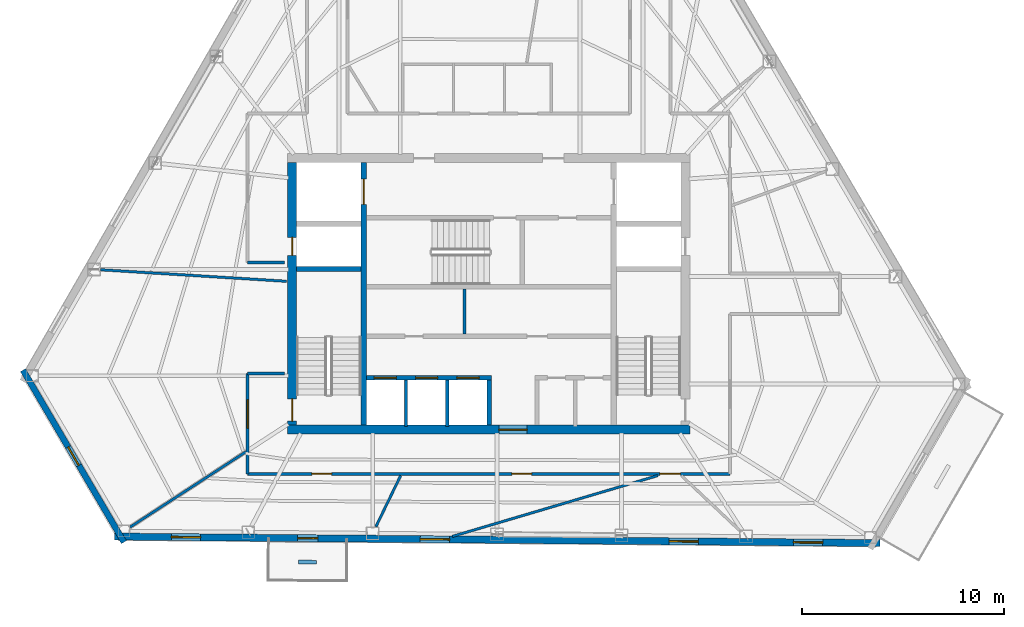
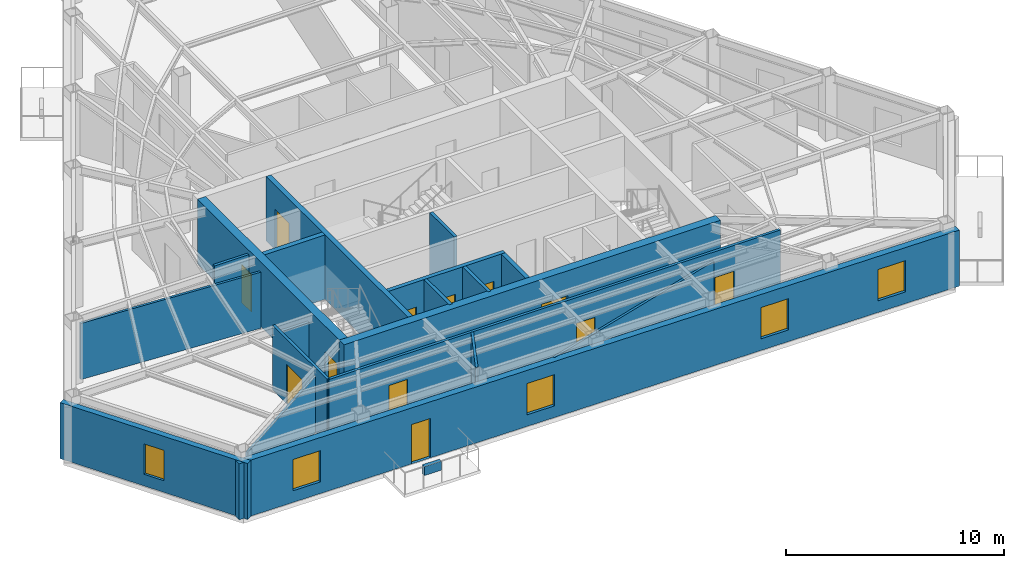
# One storey, part 7 of 12: 20 walls, 12 doors, 5 windows, 17 openings.
"""IFC4 building model written with IfcOpenShell, lengths in metres."""

import ifcopenshell
import ifcopenshell.guid

model = None  # the IFC model being written
_history = None  # IfcOwnerHistory: only IFC2X3 demands one
_inside = {}  # id of a spatial element -> (the spatial element, [elements in it])
_under = {}  # id of a project, library or spatial element -> (it, [spatial elements below it])
_declared = {}  # id of a project -> (the project, [libraries it declares])
_typed = {}  # id of a type object -> (the type object, [elements of that type])
_made_of = {}  # id of a material, layer set ... -> (it, [elements and type objects made of it])


def new_model(schema):
    """Start an empty IFC model of exactly this schema.

    Asked for "IFC4X3", IfcOpenShell would pick the latest addendum, in which some entities
    have other attributes; the version numbers below select the first issue.
    IFC2X3 requires an IfcOwnerHistory on every rooted entity: one is made here for all.
    """
    global model, _history
    if schema == "IFC4X3":
        model = ifcopenshell.file(schema_version=(4, 3, 0, 0))
    else:
        model = ifcopenshell.file(schema=schema)
    _inside.clear()
    _under.clear()
    _declared.clear()
    _typed.clear()
    _made_of.clear()
    _history = None
    if model.schema == "IFC2X3":
        org = make("IfcOrganization", Name="unknown")
        user = make(
            "IfcPersonAndOrganization",
            ThePerson=make("IfcPerson", FamilyName="unknown"),
            TheOrganization=org,
        )
        app = make(
            "IfcApplication",
            ApplicationDeveloper=org,
            Version="unknown",
            ApplicationFullName="unknown",
            ApplicationIdentifier="unknown",
        )
        _history = make(
            "IfcOwnerHistory",
            OwningUser=user,
            OwningApplication=app,
            ChangeAction="ADDED",
            CreationDate=0,
        )
    return model


def make(cls, **values):
    """One entity of the class cls with the attributes given. An attribute that is None is left unset."""
    return model.create_entity(
        cls, **{name: value for name, value in values.items() if value is not None}
    )


def rooted(cls, **values):
    """An entity with a GlobalId (a new one), such as an element, a storey or a relation."""
    return make(cls, GlobalId=ifcopenshell.guid.new(), OwnerHistory=_history, **values)


def si_unit(unit_type, name, prefix=None):
    """IfcSIUnit, for example si_unit("LENGTHUNIT", "METRE", prefix="MILLI")."""
    return make("IfcSIUnit", UnitType=unit_type, Prefix=prefix, Name=name)


def assignment(units):
    """IfcUnitAssignment: the units of a project."""
    return None if units is None else make("IfcUnitAssignment", Units=units)


def point(xyz):
    """IfcCartesianPoint."""
    return None if xyz is None else make("IfcCartesianPoint", Coordinates=xyz)


def direction(xyz):
    """IfcDirection."""
    return None if xyz is None else make("IfcDirection", DirectionRatios=xyz)


def frame(location, z_axis=None, x_axis=None):
    """IfcAxis2Placement3D, a coordinate frame: its origin and axes. An axis left out is left unset."""
    return make(
        "IfcAxis2Placement3D",
        Location=point(location),
        Axis=direction(z_axis),
        RefDirection=direction(x_axis),
    )


def frame_2d(location, x_axis=None):
    """IfcAxis2Placement2D, a coordinate frame in the plane: its origin and x axis."""
    return make(
        "IfcAxis2Placement2D", Location=point(location), RefDirection=direction(x_axis)
    )


def origin():
    """The frame at (0, 0, 0) with its axes left unset."""
    return frame((0.0, 0.0, 0.0))


def place(relative_to, where):
    """IfcLocalPlacement: puts the frame where relative to a parent placement (None: the world)."""
    return make(
        "IfcLocalPlacement", PlacementRelTo=relative_to, RelativePlacement=where
    )


def context(
    kind, dimensions, precision=None, world=None, true_north=None, identifier=None
):
    """IfcGeometricRepresentationContext, for example the 3D "Model" context."""
    return make(
        "IfcGeometricRepresentationContext",
        ContextIdentifier=identifier,
        ContextType=kind,
        CoordinateSpaceDimension=dimensions,
        Precision=precision,
        WorldCoordinateSystem=world,
        TrueNorth=true_north,
    )


def subcontext(parent, identifier, kind, view, scale=None):
    """IfcGeometricRepresentationSubContext, for example "Body" below "Model"."""
    return make(
        "IfcGeometricRepresentationSubContext",
        ContextIdentifier=identifier,
        ContextType=kind,
        ParentContext=parent,
        TargetScale=scale,
        TargetView=view,
    )


def project(units=None, contexts=None):
    """IfcProject with its units and contexts."""
    return rooted(
        "IfcProject",
        Name="project",
        RepresentationContexts=contexts,
        UnitsInContext=assignment(units),
    )


def spatial(cls, under=None, at=None, **own):
    """A site, building, storey or space (cls), placed at a placement, below another one or the project."""
    s = rooted(cls, ObjectPlacement=at, **own)
    if under is not None:
        _under.setdefault(under.id(), (under, []))[1].append(s)
    return s


def profile(cls, at=None, kind="AREA", **sizes):
    """A parametric profile (cls). Its sizes go by their IFC names, for example OverallWidth=200.0."""
    return make(cls, ProfileType=kind, Position=at, **sizes)


def rectangle(**sizes):
    """IfcRectangleProfileDef."""
    return profile("IfcRectangleProfileDef", **sizes)


def extrude(swept, where, along, depth):
    """IfcExtrudedAreaSolid: the profile swept, set in the frame where, extruded along a direction by depth."""
    return make(
        "IfcExtrudedAreaSolid",
        SweptArea=swept,
        Position=where,
        ExtrudedDirection=direction(along),
        Depth=depth,
    )


def shape(context_of_items, identifier, shape_type, items):
    """IfcShapeRepresentation: the items that make up one representation, for example the "Body"."""
    return make(
        "IfcShapeRepresentation",
        ContextOfItems=context_of_items,
        RepresentationIdentifier=identifier,
        RepresentationType=shape_type,
        Items=items,
    )


def material(Name=None, Category=None):
    """IfcMaterial."""
    return make("IfcMaterial", Name=Name, Category=Category)


def layer(
    of_material, thickness, ventilated=None, Name=None, Category=None, Priority=None
):
    """IfcMaterialLayer: one layer of a wall or slab, of a material (None: an air gap)."""
    return make(
        "IfcMaterialLayer",
        Material=of_material,
        LayerThickness=thickness,
        IsVentilated=ventilated,
        Name=Name,
        Category=Category,
        Priority=Priority,
    )


def layer_set(layers, Name=None):
    """IfcMaterialLayerSet."""
    return make("IfcMaterialLayerSet", MaterialLayers=layers, LayerSetName=Name)


def made_of(thing, what):
    """Note that an element or type object is made of a material, layer set ...; save() writes the relation."""
    if what is not None:
        _made_of.setdefault(what.id(), (what, []))[1].append(thing)
    return thing


def type_object(cls, material=None, **own):
    """A type object (cls), such as IfcWallType, which elements share."""
    return made_of(rooted(cls, **own), material)


def element(
    cls,
    number,
    at=None,
    inside=None,
    cuts=None,
    type_object=None,
    material=None,
    context=None,
    identifier="Body",
    shape_type=None,
    held_by="IfcProductDefinitionShape",
    body=None,
    shapes=None,
    **own,
):
    """One element of the class cls, such as IfcWall. Its Tag is "e" and its number.

    at: its placement. inside: the storey or other place that contains it. cuts: it is an
    opening in that element (IfcRelVoidsElement). A single representation is given by context,
    identifier, shape_type and body (its items); several are given by shapes. held_by: the class
    of the entity that holds the representations. save() writes the other relations.
    """
    e = rooted(cls, Tag="e%d" % number, ObjectPlacement=at, **own)
    if body is not None:
        shapes = [shape(context, identifier, shape_type, body)]
    if shapes is not None:
        e.Representation = make(held_by, Representations=shapes)
    if inside is not None:
        _inside.setdefault(inside.id(), (inside, []))[1].append(e)
    if cuts is not None:
        rooted(
            "IfcRelVoidsElement", RelatingBuildingElement=cuts, RelatedOpeningElement=e
        )
    if type_object is not None:
        _typed.setdefault(type_object.id(), (type_object, []))[1].append(e)
    return made_of(e, material)


def fill(opening, filler):
    """IfcRelFillsElement: the door or window that sits in an opening."""
    return rooted(
        "IfcRelFillsElement",
        RelatingOpeningElement=opening,
        RelatedBuildingElement=filler,
    )


def aggregate(whole, parts):
    """IfcRelAggregates: a whole, such as a stair, and the parts it consists of."""
    return rooted("IfcRelAggregates", RelatingObject=whole, RelatedObjects=parts)


def save(model, path):
    """Write the relations noted so far, then the file.

    IfcRelAggregates (storeys below a building ...), IfcRelContainedInSpatialStructure (elements
    in a storey), IfcRelDefinesByType, IfcRelAssociatesMaterial and IfcRelDeclares: one each for
    every whole, place, type object, material and project.
    """
    for whole, parts in _under.values():
        aggregate(whole, parts)
    for where, things in _inside.values():
        rooted(
            "IfcRelContainedInSpatialStructure",
            RelatedElements=things,
            RelatingStructure=where,
        )
    for kind, things in _typed.values():
        rooted("IfcRelDefinesByType", RelatedObjects=things, RelatingType=kind)
    for what, things in _made_of.values():
        rooted("IfcRelAssociatesMaterial", RelatedObjects=things, RelatingMaterial=what)
    for by, libraries in _declared.values():
        rooted("IfcRelDeclares", RelatingContext=by, RelatedDefinitions=libraries)
    model.write(path)


model = new_model("IFC4")

# Units and contexts
model_context = context("Model", 3, precision=1e-05, world=origin(), true_north=direction((0.0, 1.0)))
body_context = subcontext(model_context, "Body", "Model", "MODEL_VIEW")
ifc_project = project(units=[si_unit("LENGTHUNIT", "METRE"), si_unit("AREAUNIT", "SQUARE_METRE"), si_unit("VOLUMEUNIT", "CUBIC_METRE"), si_unit("PLANEANGLEUNIT", "RADIAN"), si_unit("MASSUNIT", "GRAM", prefix="KILO")], contexts=[model_context])

# Site, building, storey
site_placement = place(None, origin())
site = spatial("IfcSite", under=ifc_project, at=site_placement, CompositionType="ELEMENT")
building_placement = place(site_placement, origin())
building = spatial("IfcBuilding", under=site, at=building_placement, Name="Kavelnor Concourse Tower", CompositionType="ELEMENT")
storey_placement = place(building_placement, frame((0.0, 0.0, 191.949951171875)))
storey = spatial("IfcBuildingStorey", under=building, at=storey_placement, Name="L48", CompositionType="ELEMENT", Elevation=191.949951171875)

# Wall, opening, door
ifc_material_1 = material(Name="Concrete C50/60", Category="concrete")
ifc_layer_1 = layer(ifc_material_1, 0.43994140625, Name="Concrete C50/60")
ifc_layer_set_1 = layer_set([ifc_layer_1], Name="Concrete C50/60")
wall_type_1 = type_object("IfcWallType", Name="WL-CORE-Z3-440", PredefinedType="SOLIDWALL", material=ifc_layer_set_1)
wall_1_placement = place(storey_placement, frame((28.0400390625, 9.3798828125, 0.0), z_axis=(0.0, 0.0, 1.0), x_axis=(1.0, 0.0, 0.0)))
wall_1 = element("IfcWall", 1, at=wall_1_placement, inside=storey, type_object=wall_type_1, Name="L48 Central Core South Shear Wall", PredefinedType="SOLIDWALL", context=body_context, shape_type="SweptSolid", body=[
    extrude(rectangle(XDim=19.919921875, YDim=0.43994140625, at=frame_2d((9.9599609375, 0.0))), origin(), (0.0, 0.0, 1.0), 3.60009765625),
])
opening_1_placement = place(wall_1_placement, frame((10.4599609375, 0.0, 0.0)))
opening_1 = element("IfcOpeningElement", 2, at=opening_1_placement, cuts=wall_1, Name="Opening SD-140", PredefinedType="OPENING", context=body_context, shape_type="SweptSolid", body=[
    extrude(rectangle(XDim=1.39990234375, YDim=2.199951171875, at=frame_2d((0.699951171875, 1.10009765625))), frame((0.0, 0.22998046875, 0.0), z_axis=(0.0, -1.0, 0.0), x_axis=(1.0, 0.0, 0.0)), (0.0, 0.0, 1.0), 0.4599609375),
])
ifc_material_2 = material(Name="Solid-core hardwood timber", Category="wood")
door_type_1 = type_object("IfcDoorType", Name="DR-SUITE-ENTRY-1400", OperationType="NOTDEFINED", PredefinedType="DOOR", material=ifc_material_2)
door_1_placement = place(opening_1_placement, origin())
door_1 = element("IfcDoor", 3, at=door_1_placement, inside=storey, type_object=door_type_1, Name="L48 Passenger Lift Lobby Entry Door", OperationType="SINGLE_SWING_LEFT", OverallHeight=2.199951171875, OverallWidth=1.39990234375, PredefinedType="DOOR", context=body_context, shape_type="SweptSolid", body=[
    extrude(rectangle(XDim=1.39990234375, YDim=2.199951171875, at=frame_2d((0.699951171875, 1.10009765625))), frame((0.0, 0.02490234375, 0.0), z_axis=(0.0, -1.0, 0.0), x_axis=(1.0, 0.0, 0.0)), (0.0, 0.0, 1.0), 0.050048828125),
])
fill(opening_1, door_1)

# Wall, openings, doors
wall_2_placement = place(storey_placement, frame((28.260009765625, 9.60009765625, 0.0), z_axis=(0.0, 0.0, 1.0), x_axis=(0.0, 1.0, 0.0)))
wall_2 = element("IfcWall", 4, at=wall_2_placement, inside=storey, type_object=wall_type_1, Name="L48 Central Core West Shear Wall", PredefinedType="SOLIDWALL", context=body_context, shape_type="SweptSolid", body=[
    extrude(rectangle(XDim=13.0, YDim=0.43994140625, at=frame_2d((6.5, 0.0))), origin(), (0.0, 0.0, 1.0), 3.60009765625),
])
opening_2_placement = place(wall_2_placement, frame((0.199951171875, 0.0, 0.0)))
opening_2 = element("IfcOpeningElement", 5, at=opening_2_placement, cuts=wall_2, Name="Opening FD-110", PredefinedType="OPENING", context=body_context, shape_type="SweptSolid", body=[
    extrude(rectangle(XDim=1.10009765625, YDim=2.14990234375, at=frame_2d((0.550048828125, 1.074951171875))), frame((0.0, 0.22998046875, 0.0), z_axis=(0.0, -1.0, 0.0), x_axis=(1.0, 0.0, 0.0)), (0.0, 0.0, 1.0), 0.4599609375),
])
opening_3_placement = place(wall_2_placement, frame((8.39990234375, 0.0, 0.0)))
opening_3 = element("IfcOpeningElement", 6, at=opening_3_placement, cuts=wall_2, Name="Opening FD-090", PredefinedType="OPENING", context=body_context, shape_type="SweptSolid", body=[
    extrude(rectangle(XDim=0.89990234375, YDim=2.10009765625, at=frame_2d((0.449951171875, 1.050048828125))), frame((0.0, 0.22998046875, 0.0), z_axis=(0.0, -1.0, 0.0), x_axis=(1.0, 0.0, 0.0)), (0.0, 0.0, 1.0), 0.4599609375),
])
ifc_material_3 = material(Name="Steel Grade 350", Category="steel")
door_type_2 = type_object("IfcDoorType", Name="DR-RISER-FIRE-900", OperationType="NOTDEFINED", PredefinedType="DOOR", material=ifc_material_3)
door_2_placement = place(opening_3_placement, origin())
door_2 = element("IfcDoor", 7, at=door_2_placement, inside=storey, type_object=door_type_2, Name="L48 West Riser Access Door", OperationType="SINGLE_SWING_RIGHT", OverallHeight=2.10009765625, OverallWidth=0.89990234375, PredefinedType="DOOR", context=body_context, shape_type="SweptSolid", body=[
    extrude(rectangle(XDim=0.89990234375, YDim=2.10009765625, at=frame_2d((0.449951171875, 1.050048828125))), frame((0.0, 0.02490234375, 0.0), z_axis=(0.0, -1.0, 0.0), x_axis=(1.0, 0.0, 0.0)), (0.0, 0.0, 1.0), 0.050048828125),
])
fill(opening_3, door_2)
door_type_3 = type_object("IfcDoorType", Name="DR-STAIR-FIRE-1100", OperationType="NOTDEFINED", PredefinedType="DOOR", material=ifc_material_3)
door_3_placement = place(opening_2_placement, origin())
door_3 = element("IfcDoor", 8, at=door_3_placement, inside=storey, type_object=door_type_3, Name="L48 Stair ST1 Fire Door", OperationType="SINGLE_SWING_LEFT", OverallHeight=2.14990234375, OverallWidth=1.10009765625, PredefinedType="DOOR", context=body_context, shape_type="SweptSolid", body=[
    extrude(rectangle(XDim=1.10009765625, YDim=2.14990234375, at=frame_2d((0.550048828125, 1.074951171875))), frame((0.0, 0.02490234375, 0.0), z_axis=(0.0, -1.0, 0.0), x_axis=(1.0, 0.0, 0.0)), (0.0, 0.0, 1.0), 0.050048828125),
])
fill(opening_2, door_3)

# Wall, opening, window
ifc_material_4 = material(Name="Buff ironspot clay face brick masonry", Category="masonry")
ifc_layer_2 = layer(ifc_material_4, 0.300048828125, Name="Buff ironspot clay face brick masonry")
ifc_layer_set_2 = layer_set([ifc_layer_2], Name="Buff ironspot clay face brick masonry")
wall_type_2 = type_object("IfcWallType", Name="WL-EXT-BUFF-BRICK-FOLD-300", PredefinedType="STANDARD", material=ifc_layer_set_2)
wall_3_placement = place(storey_placement, frame((19.9384765625, 3.802490234375, 0.0), z_axis=(0.0, 0.0, 1.0), x_axis=(-0.506326456483, 0.862341880849, 0.0)))
wall_3 = element("IfcWall", 9, at=wall_3_placement, inside=storey, type_object=wall_type_2, Name="L48 Exterior Brick Facade Wall E2", PredefinedType="STANDARD", context=body_context, shape_type="SweptSolid", body=[
    extrude(rectangle(XDim=9.876953125, YDim=0.300048828125, at=frame_2d((4.9384765625, 0.0))), origin(), (0.0, 0.0, 1.0), 3.132080078125),
])
opening_4_placement = place(wall_3_placement, frame((4.41357421875, 0.0, 0.64990234375)))
opening_4 = element("IfcOpeningElement", 10, at=opening_4_placement, cuts=wall_3, Name="Opening W-06", PredefinedType="OPENING", context=body_context, shape_type="SweptSolid", body=[
    extrude(rectangle(XDim=1.050048828125, YDim=1.699951171875, at=frame_2d((0.52490234375, 0.85009765625))), frame((0.0, 0.16015625, 0.0), z_axis=(0.0, -1.0, 0.0), x_axis=(1.0, 0.0, 0.0)), (0.0, 0.0, 1.0), 0.320068359375),
])
ifc_material_5 = material(Name="Double low-E argon insulated glazing", Category="glass")
window_type_1 = type_object("IfcWindowType", Name="WIN-FOLD-1050", PartitioningType="SINGLE_PANEL", PredefinedType="WINDOW", material=ifc_material_5)
window_1_placement = place(opening_4_placement, origin())
window_1 = element("IfcWindow", 11, at=window_1_placement, inside=storey, type_object=window_type_1, Name="L48 Chamfer-Fold Facet Window C1", OverallHeight=1.699951171875, OverallWidth=1.050048828125, PartitioningType="SINGLE_PANEL", PredefinedType="WINDOW", context=body_context, shape_type="SweptSolid", body=[
    extrude(rectangle(XDim=1.050048828125, YDim=1.699951171875, at=frame_2d((0.52490234375, 0.85009765625))), frame((0.0, 0.030029296875, 0.0), z_axis=(0.0, -1.0, 0.0), x_axis=(1.0, 0.0, 0.0)), (0.0, 0.0, 1.0), 0.06005859375),
])
fill(opening_4, window_1)

# Wall, openings, door, windows
ifc_material_6 = material(Name="Red-ochre clay face brick masonry", Category="masonry")
ifc_layer_3 = layer(ifc_material_6, 0.35009765625, Name="Red-ochre clay face brick masonry")
ifc_layer_set_3 = layer_set([ifc_layer_3], Name="Red-ochre clay face brick masonry")
wall_type_3 = type_object("IfcWallType", Name="WL-EXT-RED-BRICK-PIER-350", PredefinedType="STANDARD", material=ifc_layer_set_3)
wall_4_placement = place(storey_placement, frame((57.378662109375, 3.757080078125, 0.0), z_axis=(0.0, 0.0, 1.0), x_axis=(-0.999963726544, 0.008517370208, 0.0)))
wall_4 = element("IfcWall", 12, at=wall_4_placement, inside=storey, type_object=wall_type_3, Name="L48 Exterior Brick Facade Wall E3", PredefinedType="STANDARD", context=body_context, shape_type="SweptSolid", body=[
    extrude(rectangle(XDim=37.92236328125, YDim=0.35009765625, at=frame_2d((18.961181640625, 0.0))), origin(), (0.0, 0.0, 1.0), 3.132080078125),
])
opening_5_placement = place(wall_4_placement, frame((27.841552734375, 0.0, 0.0)))
opening_5 = element("IfcOpeningElement", 13, at=opening_5_placement, cuts=wall_4, Name="Opening BD-100", PredefinedType="OPENING", context=body_context, shape_type="SweptSolid", body=[
    extrude(rectangle(XDim=1.0, YDim=2.199951171875, at=frame_2d((0.5, 1.10009765625))), frame((0.0, 0.18505859375, 0.0), z_axis=(0.0, -1.0, 0.0), x_axis=(1.0, 0.0, 0.0)), (0.0, 0.0, 1.0), 0.3701171875),
])
opening_6_placement = place(wall_4_placement, frame((33.644287109375, 0.0, 0.64990234375)))
opening_6 = element("IfcOpeningElement", 14, at=opening_6_placement, cuts=wall_4, Name="Opening W-03", PredefinedType="OPENING", context=body_context, shape_type="SweptSolid", body=[
    extrude(rectangle(XDim=1.449951171875, YDim=1.75, at=frame_2d((0.72509765625, 0.875))), frame((0.0, 0.18505859375, 0.0), z_axis=(0.0, -1.0, 0.0), x_axis=(1.0, 0.0, 0.0)), (0.0, 0.0, 1.0), 0.3701171875),
])
opening_7_placement = place(wall_4_placement, frame((21.321044921875, 0.0, 0.64990234375)))
opening_7 = element("IfcOpeningElement", 15, at=opening_7_placement, cuts=wall_4, Name="Opening W-03", PredefinedType="OPENING", context=body_context, shape_type="SweptSolid", body=[
    extrude(rectangle(XDim=1.449951171875, YDim=1.75, at=frame_2d((0.72509765625, 0.875))), frame((0.0, 0.18505859375, 0.0), z_axis=(0.0, -1.0, 0.0), x_axis=(1.0, 0.0, 0.0)), (0.0, 0.0, 1.0), 0.3701171875),
])
opening_8_placement = place(wall_4_placement, frame((8.997802734375, 0.0, 0.64990234375)))
opening_8 = element("IfcOpeningElement", 16, at=opening_8_placement, cuts=wall_4, Name="Opening W-03", PredefinedType="OPENING", context=body_context, shape_type="SweptSolid", body=[
    extrude(rectangle(XDim=1.449951171875, YDim=1.75, at=frame_2d((0.72509765625, 0.875))), frame((0.0, 0.18505859375, 0.0), z_axis=(0.0, -1.0, 0.0), x_axis=(1.0, 0.0, 0.0)), (0.0, 0.0, 1.0), 0.3701171875),
])
opening_9_placement = place(wall_4_placement, frame((2.836181640625, 0.0, 0.64990234375)))
opening_9 = element("IfcOpeningElement", 17, at=opening_9_placement, cuts=wall_4, Name="Opening W-03", PredefinedType="OPENING", context=body_context, shape_type="SweptSolid", body=[
    extrude(rectangle(XDim=1.449951171875, YDim=1.75, at=frame_2d((0.72509765625, 0.875))), frame((0.0, 0.18505859375, 0.0), z_axis=(0.0, -1.0, 0.0), x_axis=(1.0, 0.0, 0.0)), (0.0, 0.0, 1.0), 0.3701171875),
])
ifc_material_7 = material(Name="Anodised aluminium 6063-T6", Category="aluminium")
door_type_4 = type_object("IfcDoorType", Name="DR-BALCONY-EXT-1000", OperationType="NOTDEFINED", PredefinedType="DOOR", material=ifc_material_7)
door_4_placement = place(opening_5_placement, origin())
door_4 = element("IfcDoor", 18, at=door_4_placement, inside=storey, type_object=door_type_4, Name="L48 Tree Balcony 2 Glazed Door", OperationType="SINGLE_SWING_RIGHT", OverallHeight=2.199951171875, OverallWidth=1.0, PredefinedType="DOOR", context=body_context, shape_type="SweptSolid", body=[
    extrude(rectangle(XDim=1.0, YDim=2.199951171875, at=frame_2d((0.5, 1.10009765625))), frame((0.0, 0.02490234375, 0.0), z_axis=(0.0, -1.0, 0.0), x_axis=(1.0, 0.0, 0.0)), (0.0, 0.0, 1.0), 0.050048828125),
])
fill(opening_5, door_4)
window_type_2 = type_object("IfcWindowType", Name="WIN-PIER-Z3-1500", PartitioningType="SINGLE_PANEL", PredefinedType="WINDOW", material=ifc_material_5)
window_2_placement = place(opening_6_placement, origin())
window_2 = element("IfcWindow", 19, at=window_2_placement, inside=storey, type_object=window_type_2, Name="L48 Deep-Set Brick Pier Window F1-B0", OverallHeight=1.75, OverallWidth=1.449951171875, PartitioningType="SINGLE_PANEL", PredefinedType="WINDOW", context=body_context, shape_type="SweptSolid", body=[
    extrude(rectangle(XDim=1.449951171875, YDim=1.75, at=frame_2d((0.72509765625, 0.875))), frame((0.0, 0.030029296875, 0.0), z_axis=(0.0, -1.0, 0.0), x_axis=(1.0, 0.0, 0.0)), (0.0, 0.0, 1.0), 0.06005859375),
])
fill(opening_6, window_2)
window_3_placement = place(opening_7_placement, origin())
window_3 = element("IfcWindow", 20, at=window_3_placement, inside=storey, type_object=window_type_2, Name="L48 Deep-Set Brick Pier Window F1-B2", OverallHeight=1.75, OverallWidth=1.449951171875, PartitioningType="SINGLE_PANEL", PredefinedType="WINDOW", context=body_context, shape_type="SweptSolid", body=[
    extrude(rectangle(XDim=1.449951171875, YDim=1.75, at=frame_2d((0.72509765625, 0.875))), frame((0.0, 0.030029296875, 0.0), z_axis=(0.0, -1.0, 0.0), x_axis=(1.0, 0.0, 0.0)), (0.0, 0.0, 1.0), 0.06005859375),
])
fill(opening_7, window_3)
window_4_placement = place(opening_8_placement, origin())
window_4 = element("IfcWindow", 21, at=window_4_placement, inside=storey, type_object=window_type_2, Name="L48 Deep-Set Brick Pier Window F1-B4", OverallHeight=1.75, OverallWidth=1.449951171875, PartitioningType="SINGLE_PANEL", PredefinedType="WINDOW", context=body_context, shape_type="SweptSolid", body=[
    extrude(rectangle(XDim=1.449951171875, YDim=1.75, at=frame_2d((0.72509765625, 0.875))), frame((0.0, 0.030029296875, 0.0), z_axis=(0.0, -1.0, 0.0), x_axis=(1.0, 0.0, 0.0)), (0.0, 0.0, 1.0), 0.06005859375),
])
fill(opening_8, window_4)
window_5_placement = place(opening_9_placement, origin())
window_5 = element("IfcWindow", 22, at=window_5_placement, inside=storey, type_object=window_type_2, Name="L48 Deep-Set Brick Pier Window F1-B5", OverallHeight=1.75, OverallWidth=1.449951171875, PartitioningType="SINGLE_PANEL", PredefinedType="WINDOW", context=body_context, shape_type="SweptSolid", body=[
    extrude(rectangle(XDim=1.449951171875, YDim=1.75, at=frame_2d((0.72509765625, 0.875))), frame((0.0, 0.030029296875, 0.0), z_axis=(0.0, -1.0, 0.0), x_axis=(1.0, 0.0, 0.0)), (0.0, 0.0, 1.0), 0.06005859375),
])
fill(opening_9, window_5)

# Wall
ifc_material_8 = material(Name="Gypsum plasterboard on light-gauge steel studs", Category="steel")
ifc_layer_4 = layer(ifc_material_8, 0.14501953125, Name="Gypsum plasterboard on light-gauge steel studs")
ifc_layer_set_4 = layer_set([ifc_layer_4], Name="Gypsum plasterboard on light-gauge steel studs")
wall_type_4 = type_object("IfcWallType", Name="WL-INT-CORR-145", PredefinedType="PARTITIONING", material=ifc_layer_set_4)
wall_5_placement = place(storey_placement, frame((27.8798828125, 17.64990234375, 0.0), z_axis=(0.0, 0.0, 1.0), x_axis=(-1.0, 0.0, 0.0)))
element("IfcWall", 23, at=wall_5_placement, inside=storey, type_object=wall_type_4, Name="L48 Corridor Wall WL-L48-CR-01", PredefinedType="PARTITIONING", context=body_context, shape_type="SweptSolid", body=[
    extrude(rectangle(XDim=1.81982421875, YDim=0.14501953125, at=frame_2d((0.909912109375, 0.0))), origin(), (0.0, 0.0, 1.0), 3.60009765625),
])

# Wall, openings, doors
wall_6_placement = place(storey_placement, frame((49.93994140625, 7.179931640625, 0.0), z_axis=(0.0, 0.0, 1.0), x_axis=(-1.0, 0.0, 0.0)))
wall_6 = element("IfcWall", 24, at=wall_6_placement, inside=storey, type_object=wall_type_4, Name="L48 Corridor Wall WL-L48-CR-17", PredefinedType="PARTITIONING", context=body_context, shape_type="SweptSolid", body=[
    extrude(rectangle(XDim=23.8798828125, YDim=0.14501953125, at=frame_2d((11.93994140625, 0.0))), origin(), (0.0, 0.0, 1.0), 3.60009765625),
])
opening_10_placement = place(wall_6_placement, frame((19.71533203125, 0.0, 0.0)))
opening_10 = element("IfcOpeningElement", 25, at=opening_10_placement, cuts=wall_6, Name="Opening OD-098", PredefinedType="OPENING", context=body_context, shape_type="SweptSolid", body=[
    extrude(rectangle(XDim=0.97998046875, YDim=2.14990234375, at=frame_2d((0.489990234375, 1.074951171875))), frame((0.0, 0.08251953125, 0.0), z_axis=(0.0, -1.0, 0.0), x_axis=(1.0, 0.0, 0.0)), (0.0, 0.0, 1.0), 0.1650390625),
])
opening_11_placement = place(wall_6_placement, frame((9.81591796875, 0.0, 0.0)))
opening_11 = element("IfcOpeningElement", 26, at=opening_11_placement, cuts=wall_6, Name="Opening OD-098", PredefinedType="OPENING", context=body_context, shape_type="SweptSolid", body=[
    extrude(rectangle(XDim=0.97998046875, YDim=2.14990234375, at=frame_2d((0.489990234375, 1.074951171875))), frame((0.0, 0.08251953125, 0.0), z_axis=(0.0, -1.0, 0.0), x_axis=(1.0, 0.0, 0.0)), (0.0, 0.0, 1.0), 0.1650390625),
])
opening_12_placement = place(wall_6_placement, frame((2.4443359375, 0.0, 0.0)))
opening_12 = element("IfcOpeningElement", 27, at=opening_12_placement, cuts=wall_6, Name="Opening MD-102", PredefinedType="OPENING", context=body_context, shape_type="SweptSolid", body=[
    extrude(rectangle(XDim=1.02001953125, YDim=2.14990234375, at=frame_2d((0.510009765625, 1.074951171875))), frame((0.0, 0.08251953125, 0.0), z_axis=(0.0, -1.0, 0.0), x_axis=(1.0, 0.0, 0.0)), (0.0, 0.0, 1.0), 0.1650390625),
])
ifc_material_9 = material(Name="Acoustic glazed timber frame", Category="wood")
door_type_5 = type_object("IfcDoorType", Name="DR-MEETING-1020", OperationType="NOTDEFINED", PredefinedType="DOOR", material=ifc_material_9)
door_5_placement = place(opening_12_placement, origin())
door_5 = element("IfcDoor", 28, at=door_5_placement, inside=storey, type_object=door_type_5, Name="L48 Client Boardroom 08 Door", OperationType="SINGLE_SWING_LEFT", OverallHeight=2.14990234375, OverallWidth=1.02001953125, PredefinedType="DOOR", context=body_context, shape_type="SweptSolid", body=[
    extrude(rectangle(XDim=1.02001953125, YDim=2.14990234375, at=frame_2d((0.510009765625, 1.074951171875))), frame((0.0, 0.02490234375, 0.0), z_axis=(0.0, -1.0, 0.0), x_axis=(1.0, 0.0, 0.0)), (0.0, 0.0, 1.0), 0.050048828125),
])
fill(opening_12, door_5)
door_type_6 = type_object("IfcDoorType", Name="DR-OFFICE-980", OperationType="NOTDEFINED", PredefinedType="DOOR", material=ifc_material_2)
door_6_placement = place(opening_10_placement, origin())
door_6 = element("IfcDoor", 29, at=door_6_placement, inside=storey, type_object=door_type_6, Name="L48 Building Staff Breakroom 06 Door", OperationType="SINGLE_SWING_LEFT", OverallHeight=2.14990234375, OverallWidth=0.97998046875, PredefinedType="DOOR", context=body_context, shape_type="SweptSolid", body=[
    extrude(rectangle(XDim=0.97998046875, YDim=2.14990234375, at=frame_2d((0.489990234375, 1.074951171875))), frame((0.0, 0.02490234375, 0.0), z_axis=(0.0, -1.0, 0.0), x_axis=(1.0, 0.0, 0.0)), (0.0, 0.0, 1.0), 0.050048828125),
])
fill(opening_10, door_6)
door_7_placement = place(opening_11_placement, origin())
door_7 = element("IfcDoor", 30, at=door_7_placement, inside=storey, type_object=door_type_6, Name="L48 Technical Reference Library 07 Door", OperationType="SINGLE_SWING_RIGHT", OverallHeight=2.14990234375, OverallWidth=0.97998046875, PredefinedType="DOOR", context=body_context, shape_type="SweptSolid", body=[
    extrude(rectangle(XDim=0.97998046875, YDim=2.14990234375, at=frame_2d((0.489990234375, 1.074951171875))), frame((0.0, 0.02490234375, 0.0), z_axis=(0.0, -1.0, 0.0), x_axis=(1.0, 0.0, 0.0)), (0.0, 0.0, 1.0), 0.050048828125),
])
fill(opening_11, door_7)

# Wall, opening, door
wall_7_placement = place(storey_placement, frame((26.06005859375, 7.179931640625, 0.0), z_axis=(0.0, 0.0, 1.0), x_axis=(0.0, 1.0, 0.0)))
wall_7 = element("IfcWall", 31, at=wall_7_placement, inside=storey, type_object=wall_type_4, Name="L48 Corridor Wall WL-L48-CR-18", PredefinedType="PARTITIONING", context=body_context, shape_type="SweptSolid", body=[
    extrude(rectangle(XDim=4.969970703125, YDim=0.14501953125, at=frame_2d((2.48486328125, 0.0))), origin(), (0.0, 0.0, 1.0), 3.60009765625),
])
opening_13_placement = place(wall_7_placement, frame((2.273193359375, 0.0, 0.0)))
opening_13 = element("IfcOpeningElement", 32, at=opening_13_placement, cuts=wall_7, Name="Opening SD-140", PredefinedType="OPENING", context=body_context, shape_type="SweptSolid", body=[
    extrude(rectangle(XDim=1.39990234375, YDim=2.199951171875, at=frame_2d((0.699951171875, 1.10009765625))), frame((0.0, 0.08251953125, 0.0), z_axis=(0.0, -1.0, 0.0), x_axis=(1.0, 0.0, 0.0)), (0.0, 0.0, 1.0), 0.1650390625),
])
door_8_placement = place(opening_13_placement, origin())
door_8 = element("IfcDoor", 33, at=door_8_placement, inside=storey, type_object=door_type_1, Name="L48 Building Staff Breakroom 05 Door", OperationType="SINGLE_SWING_RIGHT", OverallHeight=2.199951171875, OverallWidth=1.39990234375, PredefinedType="DOOR", context=body_context, shape_type="SweptSolid", body=[
    extrude(rectangle(XDim=1.39990234375, YDim=2.199951171875, at=frame_2d((0.699951171875, 1.10009765625))), frame((0.0, 0.02490234375, 0.0), z_axis=(0.0, -1.0, 0.0), x_axis=(1.0, 0.0, 0.0)), (0.0, 0.0, 1.0), 0.050048828125),
])
fill(opening_13, door_8)

# Walls
wall_8_placement = place(storey_placement, frame((26.06005859375, 12.14990234375, 0.0), z_axis=(0.0, 0.0, 1.0), x_axis=(1.0, 0.0, 0.0)))
element("IfcWall", 34, at=wall_8_placement, inside=storey, type_object=wall_type_4, Name="L48 Corridor Wall WL-L48-CR-19", PredefinedType="PARTITIONING", context=body_context, shape_type="SweptSolid", body=[
    extrude(rectangle(XDim=1.81982421875, YDim=0.14501953125, at=frame_2d((0.909912109375, 0.0))), origin(), (0.0, 0.0, 1.0), 3.14111328125),
])
ifc_layer_5 = layer(ifc_material_8, 0.1650390625, Name="Gypsum plasterboard on light-gauge steel studs")
ifc_layer_set_5 = layer_set([ifc_layer_5], Name="Gypsum plasterboard on light-gauge steel studs")
wall_type_5 = type_object("IfcWallType", Name="WL-INT-FIRE-165", PredefinedType="PARTITIONING", material=ifc_layer_set_5)
for number, where, z_axis, x_axis, name in (
    (35, (33.89990234375, 9.52001953125, 0.0), (0.0, 0.0, 1.0), (0.0, 1.0, 0.0), "L48 Lift Shaft Divider LP7"),
    (36, (35.949951171875, 9.52001953125, 0.0), (0.0, 0.0, 1.0), (0.0, 1.0, 0.0), "L48 Lift Shaft Divider LP8"),
):
    element("IfcWall", number, at=place(storey_placement, frame(where, z_axis=z_axis, x_axis=x_axis)), inside=storey, type_object=wall_type_5, Name=name, PredefinedType="PARTITIONING", context=body_context, shape_type="SweptSolid", body=[
        extrude(rectangle(XDim=2.320068359375, YDim=0.1650390625, at=frame_2d((1.16015625, 0.0))), origin(), (0.0, 0.0, 1.0), 3.60009765625),
    ])
wall_9_placement = place(storey_placement, frame((36.800048828125, 14.10009765625, 0.0), z_axis=(0.0, 0.0, 1.0), x_axis=(0.0, 1.0, 0.0)))
element("IfcWall", 37, at=wall_9_placement, inside=storey, type_object=wall_type_5, Name="L48 Reclaimed Core Partition A", PredefinedType="PARTITIONING", context=body_context, shape_type="SweptSolid", body=[
    extrude(rectangle(XDim=2.239990234375, YDim=0.1650390625, at=frame_2d((1.1201171875, 0.0))), origin(), (0.0, 0.0, 1.0), 3.60009765625),
])
ifc_layer_6 = layer(ifc_material_8, 0.125, Name="Gypsum plasterboard on light-gauge steel studs")
ifc_layer_set_6 = layer_set([ifc_layer_6], Name="Gypsum plasterboard on light-gauge steel studs")
wall_type_6 = type_object("IfcWallType", Name="WL-INT-SUITE-125", PredefinedType="PARTITIONING", material=ifc_layer_set_6)
wall_10_placement = place(storey_placement, frame((27.97998046875, 16.7216796875, 0.0), z_axis=(0.0, 0.0, 1.0), x_axis=(-0.998078039193, 0.061969570596, 0.0)))
element("IfcWall", 38, at=wall_10_placement, inside=storey, type_object=wall_type_6, Name="L48 Radial Suite Partition 05", PredefinedType="PARTITIONING", context=body_context, shape_type="SweptSolid", body=[
    extrude(rectangle(XDim=9.222900390625, YDim=0.125, at=frame_2d((4.611328125, 0.0))), origin(), (0.0, 0.0, 1.0), 3.14111328125),
])
wall_11_placement = place(storey_placement, frame((25.9794921875, 8.2802734375, 0.0), z_axis=(0.0, 0.0, 1.0), x_axis=(-0.838234999643, -0.545309164946, 0.0)))
element("IfcWall", 39, at=wall_11_placement, inside=storey, type_object=wall_type_6, Name="L48 Radial Suite Partition 06", PredefinedType="PARTITIONING", context=body_context, shape_type="SweptSolid", body=[
    extrude(rectangle(XDim=6.846923828125, YDim=0.125, at=frame_2d((3.42333984375, 0.0))), origin(), (0.0, 0.0, 1.0), 3.14111328125),
])
wall_12_placement = place(storey_placement, frame((33.6396484375, 7.099609375, 0.0), z_axis=(0.0, 0.0, 1.0), x_axis=(-0.435960320496, -0.899965887661, 0.0)))
element("IfcWall", 40, at=wall_12_placement, inside=storey, type_object=wall_type_6, Name="L48 Radial Suite Partition 07", PredefinedType="PARTITIONING", context=body_context, shape_type="SweptSolid", body=[
    extrude(rectangle(XDim=2.811767578125, YDim=0.125, at=frame_2d((1.40576171875, 0.0))), origin(), (0.0, 0.0, 1.0), 3.60009765625),
])
wall_13_placement = place(storey_placement, frame((36.198486328125, 4.087646484375, 0.0), z_axis=(0.0, 0.0, 1.0), x_axis=(0.958899447114, 0.283746101867, 0.0)))
element("IfcWall", 41, at=wall_13_placement, inside=storey, type_object=wall_type_6, Name="L48 Suite Subdivision Partition 07", PredefinedType="PARTITIONING", context=body_context, shape_type="SweptSolid", body=[
    extrude(rectangle(XDim=10.614990234375, YDim=0.125, at=frame_2d((5.3076171875, 0.0))), origin(), (0.0, 0.0, 1.0), 3.135009765625),
])
ifc_material_10 = material(Name="Architectural precast planter concrete C40/50", Category="concrete")
ifc_layer_7 = layer(ifc_material_10, 0.18994140625, Name="Architectural precast planter concrete C40/50")
ifc_layer_set_7 = layer_set([ifc_layer_7], Name="Architectural precast planter concrete C40/50")
wall_type_7 = type_object("IfcWallType", Name="WL-PLANTER-KERB-190", PredefinedType="USERDEFINED", material=ifc_layer_set_7)
wall_14_placement = place(storey_placement, frame((28.577880859375, 2.8173828125, 0.0), z_axis=(0.0, 0.0, 1.0), x_axis=(0.999964636138, -0.008409903342, 0.0)))
element("IfcWall", 42, at=wall_14_placement, inside=storey, type_object=wall_type_7, Name="L48 Tree Balcony 2 Tree Planter Kerb", ObjectType="PLANTER", PredefinedType="USERDEFINED", context=body_context, shape_type="SweptSolid", body=[
    extrude(rectangle(XDim=0.89990234375, YDim=0.18994140625, at=frame_2d((0.449951171875, 0.0))), origin(), (0.0, 0.0, 1.0), 0.5),
])

# Wall, openings, doors
ifc_layer_8 = layer(ifc_material_1, 0.219970703125, Name="Concrete C50/60")
ifc_layer_set_8 = layer_set([ifc_layer_8], Name="Concrete C50/60")
wall_type_8 = type_object("IfcWallType", Name="WL-SHAFT-220", PredefinedType="SOLIDWALL", material=ifc_layer_set_8)
wall_15_placement = place(storey_placement, frame((31.93994140625, 11.949951171875, 0.0), z_axis=(0.0, 0.0, 1.0), x_axis=(1.0, 0.0, 0.0)))
wall_15 = element("IfcWall", 43, at=wall_15_placement, inside=storey, type_object=wall_type_8, Name="L48 High-Rise Lift Bank North Wall", PredefinedType="SOLIDWALL", context=body_context, shape_type="SweptSolid", body=[
    extrude(rectangle(XDim=6.18994140625, YDim=0.219970703125, at=frame_2d((3.094970703125, 0.0))), origin(), (0.0, 0.0, 1.0), 3.60009765625),
])
opening_14_placement = place(wall_15_placement, frame((0.385009765625, 0.0, 0.0)))
opening_14 = element("IfcOpeningElement", 44, at=opening_14_placement, cuts=wall_15, Name="Opening LD-110", PredefinedType="OPENING", context=body_context, shape_type="SweptSolid", body=[
    extrude(rectangle(XDim=1.10009765625, YDim=2.199951171875, at=frame_2d((0.550048828125, 1.10009765625))), frame((0.0, 0.1201171875, 0.0), z_axis=(0.0, -1.0, 0.0), x_axis=(1.0, 0.0, 0.0)), (0.0, 0.0, 1.0), 0.239990234375),
])
opening_15_placement = place(wall_15_placement, frame((2.43505859375, 0.0, 0.0)))
opening_15 = element("IfcOpeningElement", 45, at=opening_15_placement, cuts=wall_15, Name="Opening LD-110", PredefinedType="OPENING", context=body_context, shape_type="SweptSolid", body=[
    extrude(rectangle(XDim=1.10009765625, YDim=2.199951171875, at=frame_2d((0.550048828125, 1.10009765625))), frame((0.0, 0.1201171875, 0.0), z_axis=(0.0, -1.0, 0.0), x_axis=(1.0, 0.0, 0.0)), (0.0, 0.0, 1.0), 0.239990234375),
])
opening_16_placement = place(wall_15_placement, frame((4.485107421875, 0.0, 0.0)))
opening_16 = element("IfcOpeningElement", 46, at=opening_16_placement, cuts=wall_15, Name="Opening LD-110", PredefinedType="OPENING", context=body_context, shape_type="SweptSolid", body=[
    extrude(rectangle(XDim=1.10009765625, YDim=2.199951171875, at=frame_2d((0.550048828125, 1.10009765625))), frame((0.0, 0.1201171875, 0.0), z_axis=(0.0, -1.0, 0.0), x_axis=(1.0, 0.0, 0.0)), (0.0, 0.0, 1.0), 0.239990234375),
])
door_type_7 = type_object("IfcDoorType", Name="DR-LIFT-SLIDING-1100", OperationType="NOTDEFINED", PredefinedType="DOOR", material=ifc_material_3)
door_9_placement = place(opening_14_placement, origin())
door_9 = element("IfcDoor", 47, at=door_9_placement, inside=storey, type_object=door_type_7, Name="L48 Lift LP7 Landing Door", OperationType="DOUBLE_DOOR_SLIDING", OverallHeight=2.199951171875, OverallWidth=1.10009765625, PredefinedType="DOOR", context=body_context, shape_type="SweptSolid", body=[
    extrude(rectangle(XDim=1.10009765625, YDim=2.199951171875, at=frame_2d((0.550048828125, 1.10009765625))), frame((0.0, 0.02490234375, 0.0), z_axis=(0.0, -1.0, 0.0), x_axis=(1.0, 0.0, 0.0)), (0.0, 0.0, 1.0), 0.050048828125),
])
fill(opening_14, door_9)
door_10_placement = place(opening_15_placement, origin())
door_10 = element("IfcDoor", 48, at=door_10_placement, inside=storey, type_object=door_type_7, Name="L48 Lift LP8 Landing Door", OperationType="DOUBLE_DOOR_SLIDING", OverallHeight=2.199951171875, OverallWidth=1.10009765625, PredefinedType="DOOR", context=body_context, shape_type="SweptSolid", body=[
    extrude(rectangle(XDim=1.10009765625, YDim=2.199951171875, at=frame_2d((0.550048828125, 1.10009765625))), frame((0.0, 0.02490234375, 0.0), z_axis=(0.0, -1.0, 0.0), x_axis=(1.0, 0.0, 0.0)), (0.0, 0.0, 1.0), 0.050048828125),
])
fill(opening_15, door_10)
door_11_placement = place(opening_16_placement, origin())
door_11 = element("IfcDoor", 49, at=door_11_placement, inside=storey, type_object=door_type_7, Name="L48 Lift LP9 Landing Door", OperationType="DOUBLE_DOOR_SLIDING", OverallHeight=2.199951171875, OverallWidth=1.10009765625, PredefinedType="DOOR", context=body_context, shape_type="SweptSolid", body=[
    extrude(rectangle(XDim=1.10009765625, YDim=2.199951171875, at=frame_2d((0.550048828125, 1.10009765625))), frame((0.0, 0.02490234375, 0.0), z_axis=(0.0, -1.0, 0.0), x_axis=(1.0, 0.0, 0.0)), (0.0, 0.0, 1.0), 0.050048828125),
])
fill(opening_16, door_11)

# Wall
wall_16_placement = place(storey_placement, frame((38.02001953125, 9.60009765625, 0.0), z_axis=(0.0, 0.0, 1.0), x_axis=(0.0, 1.0, 0.0)))
element("IfcWall", 50, at=wall_16_placement, inside=storey, type_object=wall_type_8, Name="L48 Lift Lobby Throat West Wall", PredefinedType="SOLIDWALL", context=body_context, shape_type="SweptSolid", body=[
    extrude(rectangle(XDim=2.239990234375, YDim=0.219970703125, at=frame_2d((1.1201171875, 0.0))), origin(), (0.0, 0.0, 1.0), 3.60009765625),
])

# Wall, opening, door
ifc_layer_9 = layer(ifc_material_1, 0.260009765625, Name="Concrete C50/60")
ifc_layer_set_9 = layer_set([ifc_layer_9], Name="Concrete C50/60")
wall_type_9 = type_object("IfcWallType", Name="WL-SHAFT-260", PredefinedType="SHEAR", material=ifc_layer_set_9)
wall_17_placement = place(storey_placement, frame((31.81005859375, 9.60009765625, 0.0), z_axis=(0.0, 0.0, 1.0), x_axis=(0.0, 1.0, 0.0)))
wall_17 = element("IfcWall", 51, at=wall_17_placement, inside=storey, type_object=wall_type_9, Name="L48 Core West Wing Shear Wall", PredefinedType="SHEAR", context=body_context, shape_type="SweptSolid", body=[
    extrude(rectangle(XDim=13.0, YDim=0.260009765625, at=frame_2d((6.5, 0.0))), origin(), (0.0, 0.0, 1.0), 3.60009765625),
])
opening_17_placement = place(wall_17_placement, frame((10.925048828125, 0.0, 0.0)))
opening_17 = element("IfcOpeningElement", 52, at=opening_17_placement, cuts=wall_17, Name="Opening LD-125", PredefinedType="OPENING", context=body_context, shape_type="SweptSolid", body=[
    extrude(rectangle(XDim=1.25, YDim=2.25, at=frame_2d((0.625, 1.125))), frame((0.0, 0.14013671875, 0.0), z_axis=(0.0, -1.0, 0.0), x_axis=(1.0, 0.0, 0.0)), (0.0, 0.0, 1.0), 0.280029296875),
])
door_type_8 = type_object("IfcDoorType", Name="DR-LIFT-SLIDING-1250", OperationType="NOTDEFINED", PredefinedType="DOOR", material=ifc_material_3)
door_12_placement = place(opening_17_placement, origin())
door_12 = element("IfcDoor", 53, at=door_12_placement, inside=storey, type_object=door_type_8, Name="L48 Emergency Lift FL1 Landing Door", OperationType="DOUBLE_DOOR_SLIDING", OverallHeight=2.25, OverallWidth=1.25, PredefinedType="DOOR", context=body_context, shape_type="SweptSolid", body=[
    extrude(rectangle(XDim=1.25, YDim=2.25, at=frame_2d((0.625, 1.125))), frame((0.0, 0.02490234375, 0.0), z_axis=(0.0, -1.0, 0.0), x_axis=(1.0, 0.0, 0.0)), (0.0, 0.0, 1.0), 0.050048828125),
])
fill(opening_17, door_12)

# Wall
wall_18_placement = place(storey_placement, frame((28.47998046875, 17.330078125, 0.0), z_axis=(0.0, 0.0, 1.0), x_axis=(1.0, 0.0, 0.0)))
element("IfcWall", 54, at=wall_18_placement, inside=storey, type_object=wall_type_9, Name="L48 Stair ST1 North Shaft Wall", PredefinedType="SHEAR", context=body_context, shape_type="SweptSolid", body=[
    extrude(rectangle(XDim=3.199951171875, YDim=0.260009765625, at=frame_2d((1.60009765625, 0.0))), origin(), (0.0, 0.0, 1.0), 3.60009765625),
])

save(model, "model.ifc")
